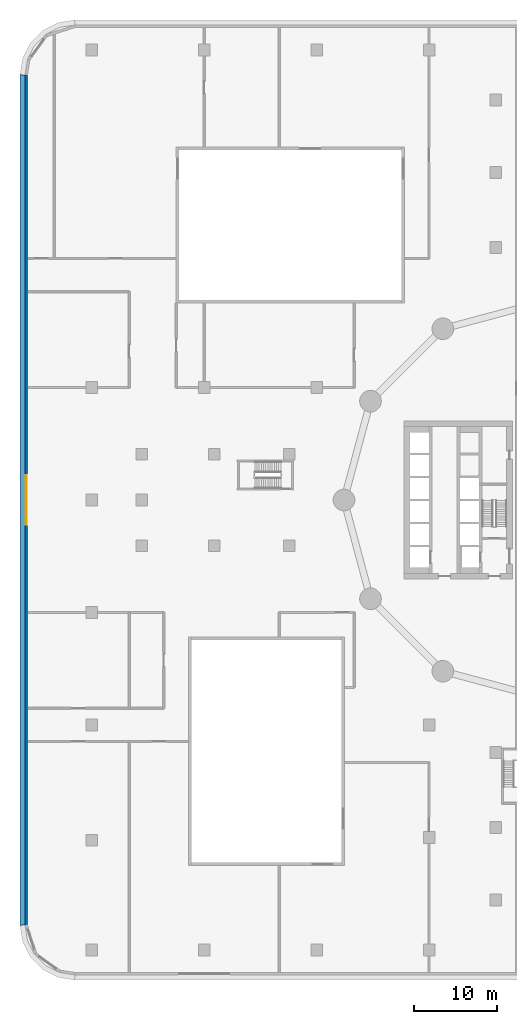
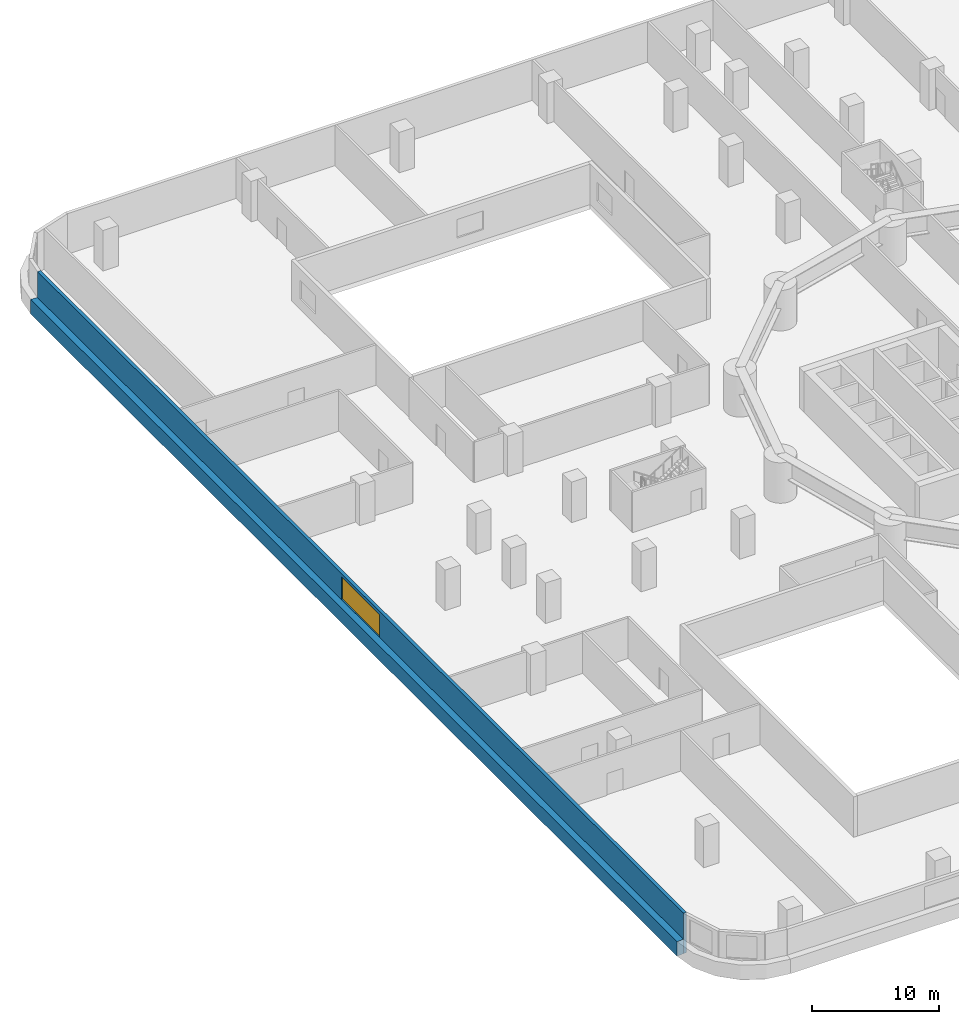
# One storey, part 4 of 16: 1 member, 1 wall, 1 window, 1 opening.
"""IFC4 building model written with IfcOpenShell, lengths in metres."""

from ifc_helpers import new_model, si_unit, direction, frame, frame_2d, origin, place, context, subcontext, project, spatial, polyline, rectangle, outline, extrude, material, layer, layer_set, type_object, element, fill, aggregate, save


model = new_model("IFC4")

# Units and contexts
model_context = context("Model", 3, precision=1e-05, world=origin(), true_north=direction((0.0, 1.0)))
body_context = subcontext(model_context, "Body", "Model", "MODEL_VIEW")
ifc_project = project(units=[si_unit("LENGTHUNIT", "METRE"), si_unit("AREAUNIT", "SQUARE_METRE"), si_unit("VOLUMEUNIT", "CUBIC_METRE"), si_unit("PLANEANGLEUNIT", "RADIAN"), si_unit("MASSUNIT", "GRAM", prefix="KILO")], contexts=[model_context])

# Member
ifc_material_1 = material(Name="Aluminium and insulated spandrel panel", Category="aluminium")
member_type = type_object("IfcMemberType", Name="Floor-edge blade transom", PredefinedType="USERDEFINED", material=ifc_material_1)
site_placement = place(None, origin())
building_placement = place(site_placement, origin())
storey_placement = place(building_placement, frame((0.0, 0.0, 25.0)))
member_placement = place(storey_placement, origin())
member = element("IfcMember", 1, at=member_placement, type_object=member_type, Name="CWT-L04-04", ObjectType="TRANSOM", PredefinedType="USERDEFINED", context=body_context, shape_type="SweptSolid", body=[
    extrude(outline(polyline([(-62.0, 51.0), (-62.0, -51.0), (-62.60009765625, -51.047119140625), (-62.60009765625, 51.047119140625), (-62.0, 51.0)])), origin(), (0.0, 0.0, 1.0), 1.39990234375),
])

# Site, building, storey
site = spatial("IfcSite", under=ifc_project, at=site_placement, CompositionType="ELEMENT")
building = spatial("IfcBuilding", under=site, at=building_placement, Name="Tamarind Cross Interchange Tower", CompositionType="ELEMENT")
storey = spatial("IfcBuildingStorey", under=building, at=storey_placement, Name="L04", CompositionType="ELEMENT", Elevation=25.0)

# Wall, opening, window
ifc_material_2 = material(Name="Precast concrete C40", Category="concrete")
ifc_layer = layer(ifc_material_2, 0.300048828125)
ifc_layer_set = layer_set([ifc_layer], Name="Precast concrete C40")
wall_type = type_object("IfcWallType", Name="Plant louvre wall", PredefinedType="SOLIDWALL", material=ifc_layer_set)
wall_placement = place(storey_placement, frame((-61.85009765625, 50.98828125, 0.0), z_axis=(0.0, 0.0, 1.0), x_axis=(0.0, -1.0, 0.0)))
wall = element("IfcWall", 2, at=wall_placement, inside=storey, type_object=wall_type, Name="EXW-L04-04-00", PredefinedType="SOLIDWALL", context=body_context, shape_type="SweptSolid", body=[
    extrude(rectangle(XDim=101.9765625, YDim=0.300048828125, at=frame_2d((50.98828125, 0.0))), origin(), (0.0, 0.0, 1.0), 3.89990234375),
])
opening_placement = place(wall_placement, frame((47.98828125, 0.0, 1.39990234375)))
opening = element("IfcOpeningElement", 3, at=opening_placement, cuts=wall, Name="Opening W2", PredefinedType="OPENING", context=body_context, shape_type="SweptSolid", body=[
    extrude(rectangle(XDim=6.0, YDim=2.199951171875, at=frame_2d((3.0, 1.10009765625))), frame((0.0, 0.159912109375, 0.0), z_axis=(0.0, -1.0, 0.0), x_axis=(1.0, 0.0, 0.0)), (0.0, 0.0, 1.0), 0.320068359375),
])
ifc_material_3 = material(Name="Aluminium louvre", Category="aluminium")
window_type = type_object("IfcWindowType", Name="Plant louvre bank", PartitioningType="SINGLE_PANEL", PredefinedType="WINDOW", material=ifc_material_3)
window_placement = place(opening_placement, origin())
window = element("IfcWindow", 4, at=window_placement, inside=storey, type_object=window_type, Name="WIN-L04-04-00", OverallHeight=2.199951171875, OverallWidth=6.0, PartitioningType="SINGLE_PANEL", PredefinedType="WINDOW", context=body_context, shape_type="SweptSolid", body=[
    extrude(rectangle(XDim=6.0, YDim=2.199951171875, at=frame_2d((3.0, 1.10009765625))), frame((0.0, 0.030029296875, 0.0), z_axis=(0.0, -1.0, 0.0), x_axis=(1.0, 0.0, 0.0)), (0.0, 0.0, 1.0), 0.06005859375),
])
fill(opening, window)

aggregate(wall, [member])

save(model, "model.ifc")
